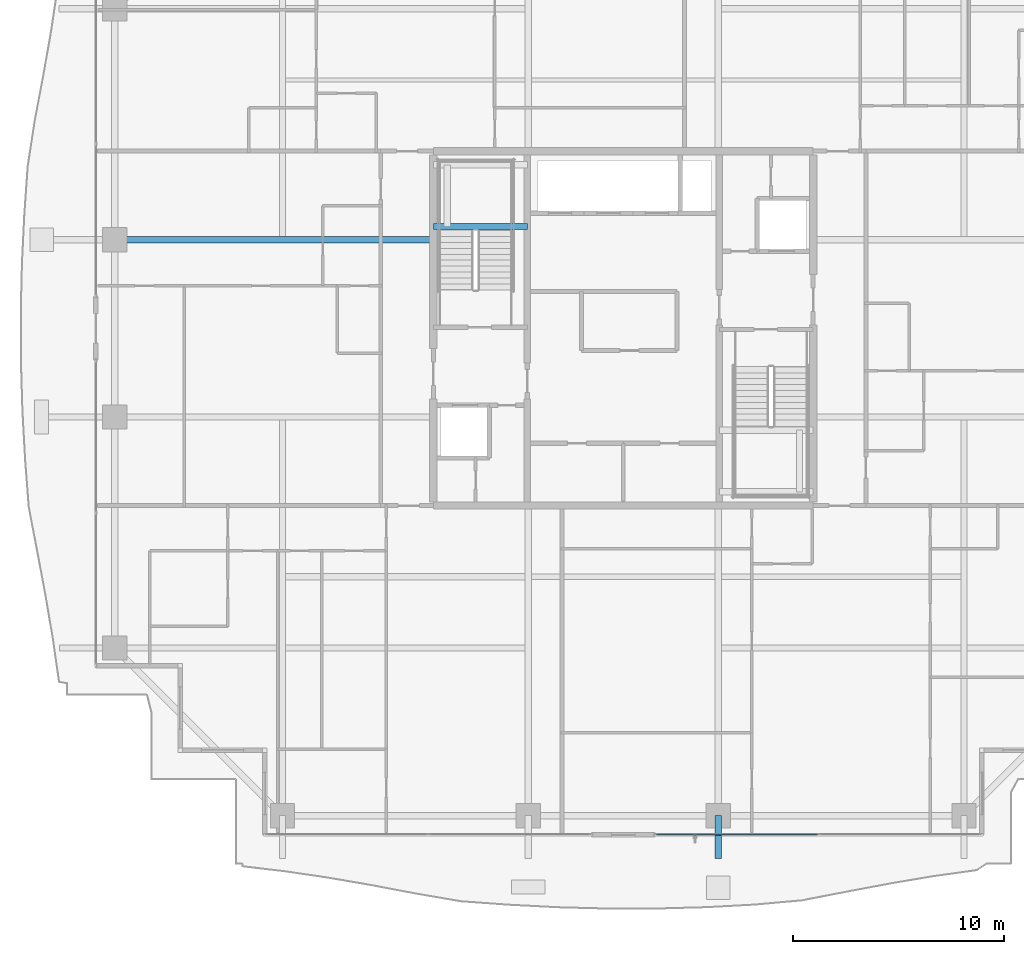
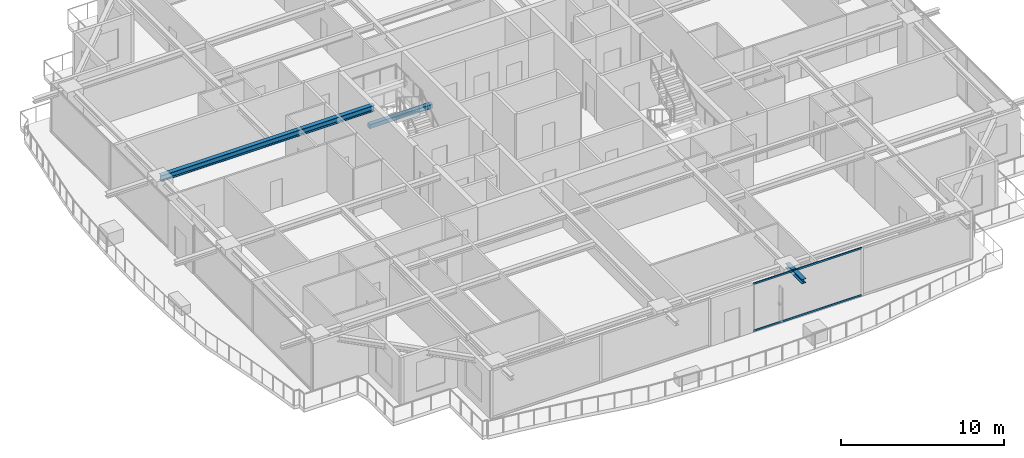
# One storey, part 10 of 37: 3 beams, 2 members, 1 element without a shape of its own.
"""IFC4 building model written with IfcOpenShell, lengths in metres."""

import ifcopenshell
import ifcopenshell.guid

model = None  # the IFC model being written
_history = None  # IfcOwnerHistory: only IFC2X3 demands one
_inside = {}  # id of a spatial element -> (the spatial element, [elements in it])
_under = {}  # id of a project, library or spatial element -> (it, [spatial elements below it])
_declared = {}  # id of a project -> (the project, [libraries it declares])
_typed = {}  # id of a type object -> (the type object, [elements of that type])
_made_of = {}  # id of a material, layer set ... -> (it, [elements and type objects made of it])


def new_model(schema):
    """Start an empty IFC model of exactly this schema.

    Asked for "IFC4X3", IfcOpenShell would pick the latest addendum, in which some entities
    have other attributes; the version numbers below select the first issue.
    IFC2X3 requires an IfcOwnerHistory on every rooted entity: one is made here for all.
    """
    global model, _history
    if schema == "IFC4X3":
        model = ifcopenshell.file(schema_version=(4, 3, 0, 0))
    else:
        model = ifcopenshell.file(schema=schema)
    _inside.clear()
    _under.clear()
    _declared.clear()
    _typed.clear()
    _made_of.clear()
    _history = None
    if model.schema == "IFC2X3":
        org = make("IfcOrganization", Name="unknown")
        user = make(
            "IfcPersonAndOrganization",
            ThePerson=make("IfcPerson", FamilyName="unknown"),
            TheOrganization=org,
        )
        app = make(
            "IfcApplication",
            ApplicationDeveloper=org,
            Version="unknown",
            ApplicationFullName="unknown",
            ApplicationIdentifier="unknown",
        )
        _history = make(
            "IfcOwnerHistory",
            OwningUser=user,
            OwningApplication=app,
            ChangeAction="ADDED",
            CreationDate=0,
        )
    return model


def make(cls, **values):
    """One entity of the class cls with the attributes given. An attribute that is None is left unset."""
    return model.create_entity(
        cls, **{name: value for name, value in values.items() if value is not None}
    )


def rooted(cls, **values):
    """An entity with a GlobalId (a new one), such as an element, a storey or a relation."""
    return make(cls, GlobalId=ifcopenshell.guid.new(), OwnerHistory=_history, **values)


def si_unit(unit_type, name, prefix=None):
    """IfcSIUnit, for example si_unit("LENGTHUNIT", "METRE", prefix="MILLI")."""
    return make("IfcSIUnit", UnitType=unit_type, Prefix=prefix, Name=name)


def assignment(units):
    """IfcUnitAssignment: the units of a project."""
    return None if units is None else make("IfcUnitAssignment", Units=units)


def point(xyz):
    """IfcCartesianPoint."""
    return None if xyz is None else make("IfcCartesianPoint", Coordinates=xyz)


def direction(xyz):
    """IfcDirection."""
    return None if xyz is None else make("IfcDirection", DirectionRatios=xyz)


def frame(location, z_axis=None, x_axis=None):
    """IfcAxis2Placement3D, a coordinate frame: its origin and axes. An axis left out is left unset."""
    return make(
        "IfcAxis2Placement3D",
        Location=point(location),
        Axis=direction(z_axis),
        RefDirection=direction(x_axis),
    )


def frame_2d(location, x_axis=None):
    """IfcAxis2Placement2D, a coordinate frame in the plane: its origin and x axis."""
    return make(
        "IfcAxis2Placement2D", Location=point(location), RefDirection=direction(x_axis)
    )


def origin():
    """The frame at (0, 0, 0) with its axes left unset."""
    return frame((0.0, 0.0, 0.0))


def origin_2d():
    """The frame at (0, 0) in the plane with its x axis left unset."""
    return frame_2d((0.0, 0.0))


def place(relative_to, where):
    """IfcLocalPlacement: puts the frame where relative to a parent placement (None: the world)."""
    return make(
        "IfcLocalPlacement", PlacementRelTo=relative_to, RelativePlacement=where
    )


def context(
    kind, dimensions, precision=None, world=None, true_north=None, identifier=None
):
    """IfcGeometricRepresentationContext, for example the 3D "Model" context."""
    return make(
        "IfcGeometricRepresentationContext",
        ContextIdentifier=identifier,
        ContextType=kind,
        CoordinateSpaceDimension=dimensions,
        Precision=precision,
        WorldCoordinateSystem=world,
        TrueNorth=true_north,
    )


def subcontext(parent, identifier, kind, view, scale=None):
    """IfcGeometricRepresentationSubContext, for example "Body" below "Model"."""
    return make(
        "IfcGeometricRepresentationSubContext",
        ContextIdentifier=identifier,
        ContextType=kind,
        ParentContext=parent,
        TargetScale=scale,
        TargetView=view,
    )


def project(units=None, contexts=None):
    """IfcProject with its units and contexts."""
    return rooted(
        "IfcProject",
        Name="project",
        RepresentationContexts=contexts,
        UnitsInContext=assignment(units),
    )


def spatial(cls, under=None, at=None, **own):
    """A site, building, storey or space (cls), placed at a placement, below another one or the project."""
    s = rooted(cls, ObjectPlacement=at, **own)
    if under is not None:
        _under.setdefault(under.id(), (under, []))[1].append(s)
    return s


def profile(cls, at=None, kind="AREA", **sizes):
    """A parametric profile (cls). Its sizes go by their IFC names, for example OverallWidth=200.0."""
    return make(cls, ProfileType=kind, Position=at, **sizes)


def rectangle(**sizes):
    """IfcRectangleProfileDef."""
    return profile("IfcRectangleProfileDef", **sizes)


def hollow_rectangle(**sizes):
    """IfcRectangleHollowProfileDef."""
    return profile("IfcRectangleHollowProfileDef", **sizes)


def i_section(**sizes):
    """IfcIShapeProfileDef."""
    return profile("IfcIShapeProfileDef", **sizes)


def extrude(swept, where, along, depth):
    """IfcExtrudedAreaSolid: the profile swept, set in the frame where, extruded along a direction by depth."""
    return make(
        "IfcExtrudedAreaSolid",
        SweptArea=swept,
        Position=where,
        ExtrudedDirection=direction(along),
        Depth=depth,
    )


def shape(context_of_items, identifier, shape_type, items):
    """IfcShapeRepresentation: the items that make up one representation, for example the "Body"."""
    return make(
        "IfcShapeRepresentation",
        ContextOfItems=context_of_items,
        RepresentationIdentifier=identifier,
        RepresentationType=shape_type,
        Items=items,
    )


def source(mapping_origin, context_of_items, identifier, shape_type, items):
    """IfcRepresentationMap: a shape defined once, which mapped items show again and again."""
    return make(
        "IfcRepresentationMap",
        MappingOrigin=mapping_origin,
        MappedRepresentation=shape(context_of_items, identifier, shape_type, items),
    )


def transform(
    local_origin,
    x_axis=None,
    y_axis=None,
    z_axis=None,
    scale=None,
    scale2=None,
    scale3=None,
    uniform=True,
):
    """IfcCartesianTransformationOperator3D, or its non-uniform kind. x_axis, y_axis, z_axis: its Axis1, 2, 3."""
    if uniform:
        return make(
            "IfcCartesianTransformationOperator3D",
            Axis1=direction(x_axis),
            Axis2=direction(y_axis),
            LocalOrigin=point(local_origin),
            Scale=scale,
            Axis3=direction(z_axis),
        )
    return make(
        "IfcCartesianTransformationOperator3DnonUniform",
        Axis1=direction(x_axis),
        Axis2=direction(y_axis),
        LocalOrigin=point(local_origin),
        Scale=scale,
        Axis3=direction(z_axis),
        Scale2=scale2,
        Scale3=scale3,
    )


def mapped(mapping_source, mapping_target):
    """IfcMappedItem: shows the shape of a source again, moved by a transform."""
    return make(
        "IfcMappedItem", MappingSource=mapping_source, MappingTarget=mapping_target
    )


def material(Name=None, Category=None):
    """IfcMaterial."""
    return make("IfcMaterial", Name=Name, Category=Category)


def layer(
    of_material, thickness, ventilated=None, Name=None, Category=None, Priority=None
):
    """IfcMaterialLayer: one layer of a wall or slab, of a material (None: an air gap)."""
    return make(
        "IfcMaterialLayer",
        Material=of_material,
        LayerThickness=thickness,
        IsVentilated=ventilated,
        Name=Name,
        Category=Category,
        Priority=Priority,
    )


def layer_set(layers, Name=None):
    """IfcMaterialLayerSet."""
    return make("IfcMaterialLayerSet", MaterialLayers=layers, LayerSetName=Name)


def material_profile(
    of_material, cross_section, Name=None, Category=None, Priority=None
):
    """IfcMaterialProfile: a cross section and its material."""
    return make(
        "IfcMaterialProfile",
        Name=Name,
        Material=of_material,
        Profile=cross_section,
        Priority=Priority,
        Category=Category,
    )


def profile_set(profiles, Name=None, composite=None):
    """IfcMaterialProfileSet."""
    return make(
        "IfcMaterialProfileSet",
        Name=Name,
        MaterialProfiles=profiles,
        CompositeProfile=composite,
    )


def made_of(thing, what):
    """Note that an element or type object is made of a material, layer set ...; save() writes the relation."""
    if what is not None:
        _made_of.setdefault(what.id(), (what, []))[1].append(thing)
    return thing


def type_object(cls, material=None, **own):
    """A type object (cls), such as IfcWallType, which elements share."""
    return made_of(rooted(cls, **own), material)


def element(
    cls,
    number,
    at=None,
    inside=None,
    cuts=None,
    type_object=None,
    material=None,
    context=None,
    identifier="Body",
    shape_type=None,
    held_by="IfcProductDefinitionShape",
    body=None,
    shapes=None,
    **own,
):
    """One element of the class cls, such as IfcWall. Its Tag is "e" and its number.

    at: its placement. inside: the storey or other place that contains it. cuts: it is an
    opening in that element (IfcRelVoidsElement). A single representation is given by context,
    identifier, shape_type and body (its items); several are given by shapes. held_by: the class
    of the entity that holds the representations. save() writes the other relations.
    """
    e = rooted(cls, Tag="e%d" % number, ObjectPlacement=at, **own)
    if body is not None:
        shapes = [shape(context, identifier, shape_type, body)]
    if shapes is not None:
        e.Representation = make(held_by, Representations=shapes)
    if inside is not None:
        _inside.setdefault(inside.id(), (inside, []))[1].append(e)
    if cuts is not None:
        rooted(
            "IfcRelVoidsElement", RelatingBuildingElement=cuts, RelatedOpeningElement=e
        )
    if type_object is not None:
        _typed.setdefault(type_object.id(), (type_object, []))[1].append(e)
    return made_of(e, material)


def aggregate(whole, parts):
    """IfcRelAggregates: a whole, such as a stair, and the parts it consists of."""
    return rooted("IfcRelAggregates", RelatingObject=whole, RelatedObjects=parts)


def save(model, path):
    """Write the relations noted so far, then the file.

    IfcRelAggregates (storeys below a building ...), IfcRelContainedInSpatialStructure (elements
    in a storey), IfcRelDefinesByType, IfcRelAssociatesMaterial and IfcRelDeclares: one each for
    every whole, place, type object, material and project.
    """
    for whole, parts in _under.values():
        aggregate(whole, parts)
    for where, things in _inside.values():
        rooted(
            "IfcRelContainedInSpatialStructure",
            RelatedElements=things,
            RelatingStructure=where,
        )
    for kind, things in _typed.values():
        rooted("IfcRelDefinesByType", RelatedObjects=things, RelatingType=kind)
    for what, things in _made_of.values():
        rooted("IfcRelAssociatesMaterial", RelatedObjects=things, RelatingMaterial=what)
    for by, libraries in _declared.values():
        rooted("IfcRelDeclares", RelatingContext=by, RelatedDefinitions=libraries)
    model.write(path)


model = new_model("IFC4")

# Units and contexts
model_context = context("Model", 3, precision=1e-05, world=origin(), true_north=direction((0.0, 1.0)))
body_context = subcontext(model_context, "Body", "Model", "MODEL_VIEW")
ifc_project = project(units=[si_unit("LENGTHUNIT", "METRE"), si_unit("AREAUNIT", "SQUARE_METRE"), si_unit("VOLUMEUNIT", "CUBIC_METRE"), si_unit("PLANEANGLEUNIT", "RADIAN"), si_unit("MASSUNIT", "GRAM", prefix="KILO")], contexts=[model_context])

# Site, building, storey
site_placement = place(None, origin())
site = spatial("IfcSite", under=ifc_project, at=site_placement, CompositionType="ELEMENT")
building_placement = place(site_placement, origin())
building = spatial("IfcBuilding", under=site, at=building_placement, Name="Serunith Strait Residences", CompositionType="ELEMENT")
storey_placement = place(building_placement, frame((0.0, 0.0, 218.14990234375)))
storey = spatial("IfcBuildingStorey", under=building, at=storey_placement, Name="L54", CompositionType="ELEMENT", Elevation=218.14990234375)

# Beams
ifc_material_1 = material(Name="Steel S355J2", Category="steel")
ifc_material_profile_1 = material_profile(ifc_material_1, i_section(OverallWidth=0.300048828125, OverallDepth=0.449951171875, WebThickness=0.013916015625, FlangeThickness=0.02587890625, FilletRadius=0.027099609375, at=origin_2d()), Name="HEB 450")
ifc_profile_set_1 = profile_set([ifc_material_profile_1], Name="Steel S355J2")
beam_type_1 = type_object("IfcBeamType", Name="BM-HEB450", PredefinedType="BEAM", material=ifc_profile_set_1)
shared_shape_1 = source(origin(), body_context, "Body", "SweptSolid", [
    extrude(i_section(OverallWidth=0.300048828125, OverallDepth=0.449951171875, WebThickness=0.013916015625, FlangeThickness=0.02587890625, FilletRadius=0.027099609375, at=origin_2d()), origin(), (0.0, 0.0, 1.0), 15.099853515625),
])
beam_1_placement = place(storey_placement, frame((23.39990234375, 29.39990234375, 3.362060546875), z_axis=(-1.0, 0.0, 0.0), x_axis=(0.0, -1.0, 0.0)))
element("IfcBeam", 1, at=beam_1_placement, inside=storey, type_object=beam_type_1, Name="L54 Primary Floor Girder TC-W3", PredefinedType="BEAM", context=body_context, shape_type="MappedRepresentation", body=[
    mapped(shared_shape_1, transform((0.0, 0.0, 0.0), scale=1.0)),
])
ifc_material_profile_2 = material_profile(ifc_material_1, i_section(OverallWidth=0.300048828125, OverallDepth=0.320068359375, WebThickness=0.011474609375, FlangeThickness=0.0205078125, FilletRadius=0.027099609375, at=origin_2d()), Name="HEB 320")
ifc_profile_set_2 = profile_set([ifc_material_profile_2], Name="Steel S355J2")
beam_type_2 = type_object("IfcBeamType", Name="BM-HEB320", PredefinedType="BEAM", material=ifc_profile_set_2)
shared_shape_2 = source(origin(), body_context, "Body", "SweptSolid", [
    extrude(i_section(OverallWidth=0.300048828125, OverallDepth=0.320068359375, WebThickness=0.011474609375, FlangeThickness=0.0205078125, FilletRadius=0.027099609375, at=origin_2d()), origin(), (0.0, 0.0, 1.0), 2.030029296875),
])
beam_2_placement = place(storey_placement, frame((36.89990234375, 2.10009765625, 3.397216796875), z_axis=(0.0, -1.0, 0.0), x_axis=(1.0, 0.0, 0.0)))
element("IfcBeam", 2, at=beam_2_placement, inside=storey, type_object=beam_type_2, Name="L55 Cantilevered Balcony Rib TC-S3", PredefinedType="BEAM", context=body_context, shape_type="MappedRepresentation", body=[
    mapped(shared_shape_2, transform((0.0, 0.0, 0.0), scale=1.0)),
])
ifc_material_2 = material(Name="Concrete C60/75", Category="concrete")
ifc_material_profile_3 = material_profile(ifc_material_2, rectangle(XDim=0.300048828125, YDim=0.300048828125, at=origin_2d()), Name="RC 300x300")
ifc_profile_set_3 = profile_set([ifc_material_profile_3], Name="Concrete C60/75")
beam_type_3 = type_object("IfcBeamType", Name="BM-LAND-300x300", PredefinedType="BEAM", material=ifc_profile_set_3)
shared_shape_3 = source(origin(), body_context, "Body", "SweptSolid", [
    extrude(rectangle(XDim=0.300048828125, YDim=0.300048828125, at=origin_2d()), origin(), (0.0, 0.0, 1.0), 4.4501953125),
])
beam_3_placement = place(storey_placement, frame((23.39990234375, 30.030029296875, 1.5751953125), z_axis=(1.0, 0.0, 0.0), x_axis=(0.0, 1.0, 0.0)))
element("IfcBeam", 3, at=beam_3_placement, inside=storey, type_object=beam_type_3, Name="L54 ST-1 Landing Support Beam 1", PredefinedType="BEAM", context=body_context, shape_type="MappedRepresentation", body=[
    mapped(shared_shape_3, transform((0.0, 0.0, 0.0), scale=1.0)),
])

# Curtain wall, members
ifc_material_3 = material(Name="Pale-Champagne Anodised Aluminium", Category="aluminium")
ifc_layer = layer(ifc_material_3, 0.199951171875, Name="Pale-Champagne Anodised Aluminium")
ifc_layer_set = layer_set([ifc_layer], Name="Pale-Champagne Anodised Aluminium")
curtain_wall_type = type_object("IfcCurtainWallType", Name="CW-SYS4", PredefinedType="NOTDEFINED", material=ifc_layer_set)
curtain_wall_placement = place(storey_placement, origin())
curtain_wall = element("IfcCurtainWall", 4, at=curtain_wall_placement, inside=storey, type_object=curtain_wall_type, Name="L54 S Unitised Fritted Curtain Wall", PredefinedType="NOTDEFINED")
ifc_material_profile_4 = material_profile(ifc_material_3, hollow_rectangle(XDim=0.06005859375, YDim=0.139892578125, WallThickness=0.00341796875, InnerFilletRadius=0.00537109375, OuterFilletRadius=0.0087890625, at=origin_2d()), Name="ALU 140x60x3.5")
ifc_profile_set_4 = profile_set([ifc_material_profile_4], Name="Pale-Champagne Anodised Aluminium")
member_type = type_object("IfcMemberType", Name="CW-SYS4-TRAN", PredefinedType="USERDEFINED", material=ifc_profile_set_4)
shared_shape_4 = source(origin(), body_context, "Body", "SweptSolid", [
    extrude(hollow_rectangle(XDim=0.06005859375, YDim=0.139892578125, WallThickness=0.00341796875, InnerFilletRadius=0.00537109375, OuterFilletRadius=0.0087890625, at=origin_2d()), origin(), (0.0, 0.0, 1.0), 7.65234375),
])
member_1_placement = place(storey_placement, frame((33.965087890625, 1.199951171875, 0.030029296875), z_axis=(1.0, 0.0, 0.0), x_axis=(0.0, 1.0, 0.0)))
member_1 = element("IfcMember", 5, at=member_1_placement, type_object=member_type, Name="CW-4 transom 1.1", ObjectType="TRANSOM", PredefinedType="USERDEFINED", context=body_context, shape_type="MappedRepresentation", body=[
    mapped(shared_shape_4, transform((0.0, 0.0, 0.0), scale=1.0)),
])
member_2_placement = place(storey_placement, frame((33.965087890625, 1.199951171875, 3.545166015625), z_axis=(1.0, 0.0, 0.0), x_axis=(0.0, 1.0, 0.0)))
member_2 = element("IfcMember", 6, at=member_2_placement, type_object=member_type, Name="CW-4 transom 1.2", ObjectType="TRANSOM", PredefinedType="USERDEFINED", context=body_context, shape_type="MappedRepresentation", body=[
    mapped(shared_shape_4, transform((0.0, 0.0, 0.0), scale=1.0)),
])
aggregate(curtain_wall, [member_1, member_2])

save(model, "model.ifc")
